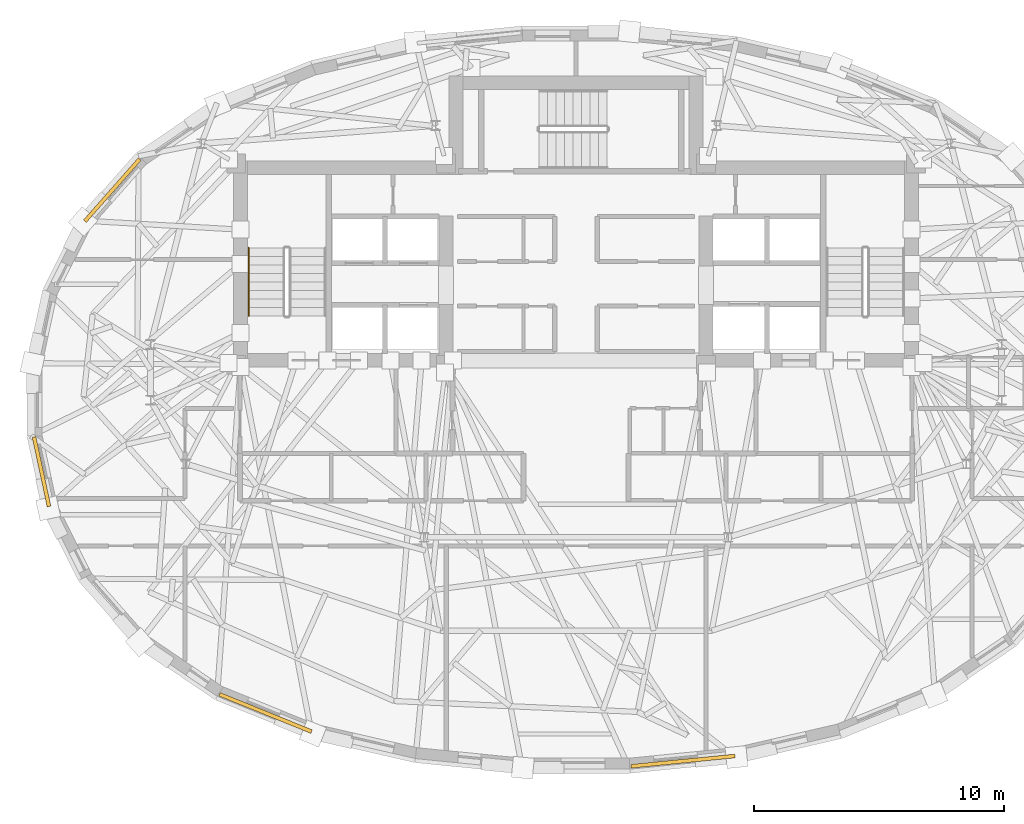
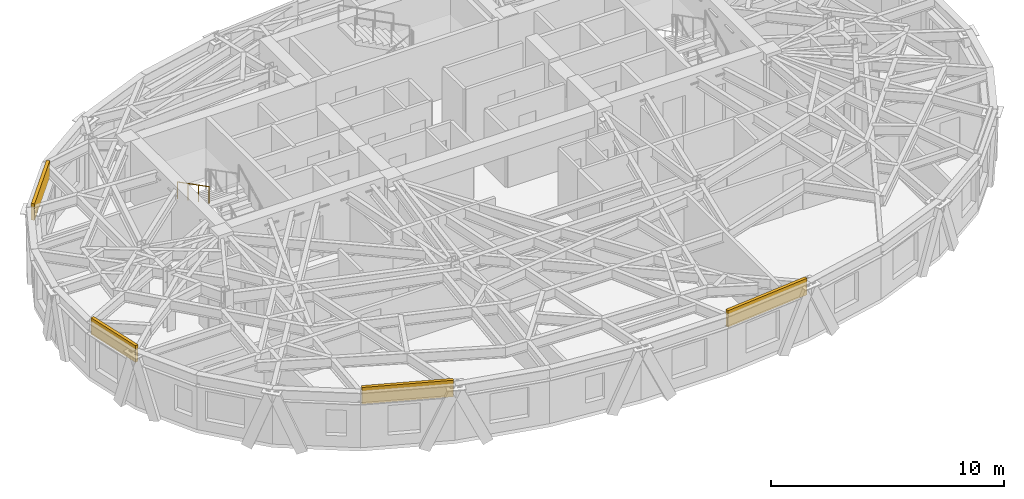
# One storey, part 11 of 13: 4 coverings, 1 railing.
"""IFC4 building model written with IfcOpenShell, lengths in metres."""

from ifc_helpers import new_model, si_unit, direction, frame, origin, origin_2d, place, context, subcontext, project, spatial, rectangle, circle, extrude, material, layer, layer_set, type_object, element, save


model = new_model("IFC4")

# Units and contexts
model_context = context("Model", 3, precision=1e-05, world=origin(), true_north=direction((0.0, 1.0)))
body_context = subcontext(model_context, "Body", "Model", "MODEL_VIEW")
ifc_project = project(units=[si_unit("LENGTHUNIT", "METRE"), si_unit("AREAUNIT", "SQUARE_METRE"), si_unit("VOLUMEUNIT", "CUBIC_METRE"), si_unit("PLANEANGLEUNIT", "RADIAN"), si_unit("MASSUNIT", "GRAM", prefix="KILO")], contexts=[model_context])

# Site, building, storey
site_placement = place(None, origin())
site = spatial("IfcSite", under=ifc_project, at=site_placement, CompositionType="ELEMENT")
building_placement = place(site_placement, origin())
building = spatial("IfcBuilding", under=site, at=building_placement, Name="Keldmark Tower", CompositionType="ELEMENT")
storey_placement = place(building_placement, frame((0.0, 0.0, 241.5)))
storey = spatial("IfcBuildingStorey", under=building, at=storey_placement, Name="L68", CompositionType="ELEMENT", Elevation=241.5)

# Coverings
ifc_material_1 = material(Name="Honed Kasota Buff Dolomitic Limestone", Category="masonry")
ifc_layer = layer(ifc_material_1, 0.074951171875)
ifc_layer_set = layer_set([ifc_layer], Name="Honed Kasota Buff Dolomitic Limestone")
covering_type = type_object("IfcCoveringType", Name="Kasota Buff Limestone Spandrel Cladding Band", PredefinedType="CLADDING", material=ifc_layer_set)
covering_1_placement = place(storey_placement, frame((-18.557373046875, 8.381591796875, 2.260009765625), z_axis=(0.0, 0.0, 1.0), x_axis=(-0.661364231344, -0.750064899525, 0.0)))
element("IfcCovering", 1, at=covering_1_placement, inside=storey, type_object=covering_type, Name="L68 Kasota Limestone Spandrel Band 13", PredefinedType="CLADDING", context=body_context, shape_type="SweptSolid", body=[
    extrude(rectangle(XDim=3.31201171875, YDim=0.14990234375, at=origin_2d()), origin(), (0.0, 0.0, 1.0), 0.8701171875),
])
covering_2_placement = place(storey_placement, frame((-21.389404296875, -2.884033203125, 2.260009765625), z_axis=(0.0, 0.0, 1.0), x_axis=(0.210540008659, -0.977585241682, 0.0)))
element("IfcCovering", 2, at=covering_2_placement, inside=storey, type_object=covering_type, Name="L68 Kasota Limestone Spandrel Band 17", PredefinedType="CLADDING", context=body_context, shape_type="SweptSolid", body=[
    extrude(rectangle(XDim=2.847412109375, YDim=0.14990234375, at=origin_2d()), origin(), (0.0, 0.0, 1.0), 0.8701171875),
])
covering_3_placement = place(storey_placement, frame((-12.426513671875, -12.53759765625, 2.260009765625), z_axis=(0.0, 0.0, 1.0), x_axis=(0.92672549442, -0.375739082333, 0.0)))
element("IfcCovering", 3, at=covering_3_placement, inside=storey, type_object=covering_type, Name="L68 Kasota Limestone Spandrel Band 21", PredefinedType="CLADDING", context=body_context, shape_type="SweptSolid", body=[
    extrude(rectangle(XDim=3.976318359375, YDim=0.14990234375, at=origin_2d()), origin(), (0.0, 0.0, 1.0), 0.8701171875),
])
covering_4_placement = place(storey_placement, frame((4.276123046875, -14.467529296875, 2.260009765625), z_axis=(0.0, 0.0, 1.0), x_axis=(0.995131548634, 0.098555572711, 0.0)))
element("IfcCovering", 4, at=covering_4_placement, inside=storey, type_object=covering_type, Name="L68 Kasota Limestone Spandrel Band 25", PredefinedType="CLADDING", context=body_context, shape_type="SweptSolid", body=[
    extrude(rectangle(XDim=4.17919921875, YDim=0.14990234375, at=origin_2d()), origin(), (0.0, 0.0, 1.0), 0.8701171875),
])

# Railing
ifc_material_2 = material(Name="Stainless Steel AISI 316L", Category="steel")
railing_type = type_object("IfcRailingType", Name="Stainless Steel Stair Handrail 900 mm", PredefinedType="HANDRAIL", material=ifc_material_2)
railing_placement = place(storey_placement, frame((-13.10009765625, 6.070068359375, 1.75)))
element("IfcRailing", 5, at=railing_placement, inside=storey, type_object=railing_type, Name="L68 ST1 stair handrail 2", PredefinedType="HANDRAIL", context=body_context, shape_type="SweptSolid", body=[
    extrude(circle(Radius=0.02392578125, at=origin_2d()), frame((0.0, 0.0, 0.8759765625), z_axis=(0.0, -0.889146794209, 0.457622091194), x_axis=(1.0, 0.0, 0.0)), (0.0, 0.0, 1.0), 3.05908203125),
    extrude(circle(Radius=0.02099609375, at=origin_2d()), origin(), (0.0, 0.0, 1.0), 0.851806640625),
    extrude(circle(Radius=0.02099609375, at=origin_2d()), frame((0.0, -0.90673828125, 0.466552734375)), (0.0, 0.0, 1.0), 0.851806640625),
    extrude(circle(Radius=0.02099609375, at=origin_2d()), frame((0.0, -1.813232421875, 0.933349609375)), (0.0, 0.0, 1.0), 0.851806640625),
    extrude(circle(Radius=0.02099609375, at=origin_2d()), frame((0.0, -2.719970703125, 1.39990234375)), (0.0, 0.0, 1.0), 0.851806640625),
])

save(model, "model.ifc")
